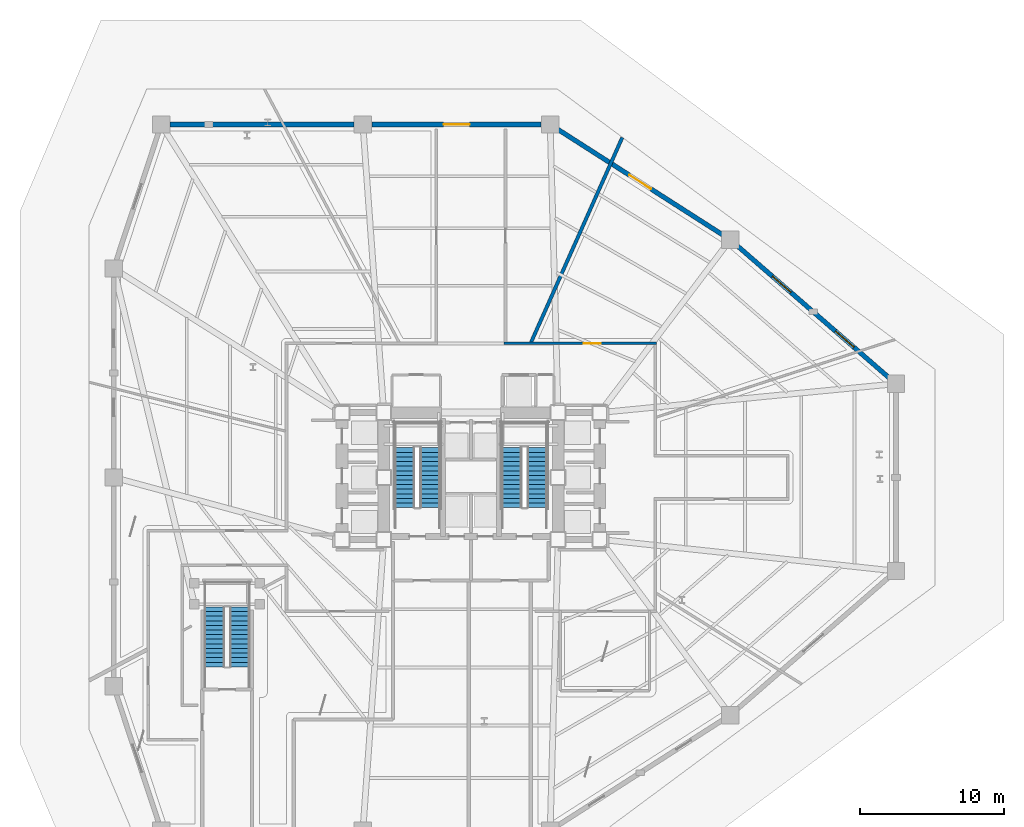
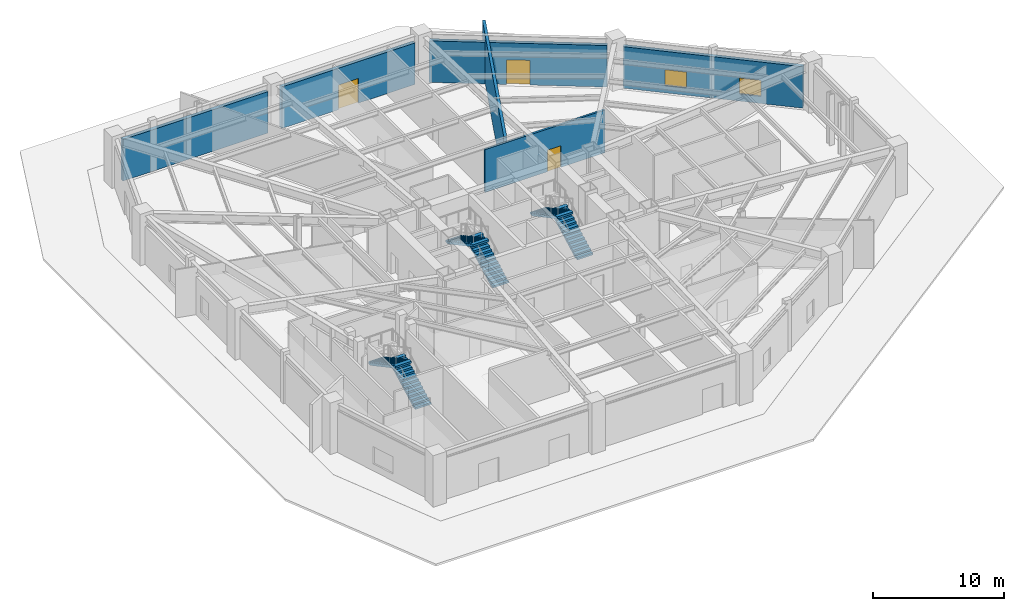
# One storey, part 6 of 10: 6 stair flights, 6 walls, 3 doors, 2 windows, 5 openings, 3 elements without a shape of their own.
"""IFC4 building model written with IfcOpenShell, lengths in metres."""

from ifc_helpers import new_model, si_unit, direction, frame, frame_2d, origin, place, context, subcontext, project, spatial, polyline, rectangle, outline, extrude, material, layer, layer_set, type_object, element, fill, aggregate, save


model = new_model("IFC4")

# Units and contexts
model_context = context("Model", 3, precision=1e-05, world=origin(), true_north=direction((0.0, 1.0)))
body_context = subcontext(model_context, "Body", "Model", "MODEL_VIEW")
ifc_project = project(units=[si_unit("LENGTHUNIT", "METRE"), si_unit("AREAUNIT", "SQUARE_METRE"), si_unit("VOLUMEUNIT", "CUBIC_METRE"), si_unit("PLANEANGLEUNIT", "RADIAN"), si_unit("MASSUNIT", "GRAM", prefix="KILO")], contexts=[model_context])

# Site, building, storey
site_placement = place(None, origin())
site = spatial("IfcSite", under=ifc_project, at=site_placement, CompositionType="ELEMENT")
building_placement = place(site_placement, origin())
building = spatial("IfcBuilding", under=site, at=building_placement, Name="Rocaltana Carrier Exchange", CompositionType="ELEMENT")
storey_placement = place(building_placement, origin())
storey = spatial("IfcBuildingStorey", under=building, at=storey_placement, Name="L01", CompositionType="ELEMENT", Elevation=0.0)

# Wall, opening, door
ifc_material_1 = material(Name="Gypsum & Steel Stud Partition", Category="steel")
ifc_layer_1 = layer(ifc_material_1, 0.179931640625)
ifc_layer_set_1 = layer_set([ifc_layer_1], Name="Gypsum & Steel Stud Partition")
wall_type_1 = type_object("IfcWallType", Name="Corridor Fire Partition 180 EI60", PredefinedType="PARTITIONING", material=ifc_layer_set_1)
wall_1_placement = place(storey_placement, frame((2.31005859375, 9.300048828125, 0.0), z_axis=(0.0, 0.0, 1.0), x_axis=(1.0, 0.0, 0.0)))
wall_1 = element("IfcWall", 1, at=wall_1_placement, inside=storey, type_object=wall_type_1, Name="L01 Corridor Partition 6", PredefinedType="PARTITIONING", context=body_context, shape_type="SweptSolid", body=[
    extrude(rectangle(XDim=10.579833984375, YDim=0.179931640625, at=frame_2d((5.2900390625, 0.0))), origin(), (0.0, 0.0, 1.0), 3.987060546875),
])
opening_1_placement = place(wall_1_placement, frame((5.5068359375, 0.0, 0.0)))
opening_1 = element("IfcOpeningElement", 2, at=opening_1_placement, cuts=wall_1, Name="Opening D-SU120", PredefinedType="OPENING", context=body_context, shape_type="SweptSolid", body=[
    extrude(rectangle(XDim=1.179931640625, YDim=2.02001953125, at=frame_2d((0.58984375, 1.010009765625))), frame((0.0, 0.099853515625, 0.0), z_axis=(0.0, -1.0, 0.0), x_axis=(1.0, 0.0, 0.0)), (0.0, 0.0, 1.0), 0.199951171875),
])
ifc_material_2 = material(Name="Engineered Hardwood Timber", Category="wood")
door_type_1 = type_object("IfcDoorType", Name="Suite Double Entrance Door 1180x2020", OperationType="NOTDEFINED", PredefinedType="DOOR", material=ifc_material_2)
door_1_placement = place(opening_1_placement, origin())
door_1 = element("IfcDoor", 3, at=door_1_placement, inside=storey, type_object=door_type_1, Name="L01 Carrier Exchange Exhibition Hall Entrance Door", OperationType="SINGLE_SWING_RIGHT", OverallHeight=2.02001953125, OverallWidth=1.179931640625, PredefinedType="DOOR", context=body_context, shape_type="SweptSolid", body=[
    extrude(rectangle(XDim=1.179931640625, YDim=2.02001953125, at=frame_2d((0.58984375, 1.010009765625))), frame((0.0, 0.02490234375, 0.0), z_axis=(0.0, -1.0, 0.0), x_axis=(1.0, 0.0, 0.0)), (0.0, 0.0, 1.0), 0.050048828125),
])
fill(opening_1, door_1)

# Wall
ifc_material_3 = material(Name="Acoustic Calcium Silicate Partition", Category="gypsum")
ifc_layer_2 = layer(ifc_material_3, 0.239990234375)
ifc_layer_set_2 = layer_set([ifc_layer_2], Name="Acoustic Calcium Silicate Partition")
wall_type_2 = type_object("IfcWallType", Name="Heavy Lab Partition 240 EI90", PredefinedType="PARTITIONING", material=ifc_layer_set_2)
wall_2_placement = place(storey_placement, frame((4.17626953125, 9.3798828125, 0.0), z_axis=(0.0, 0.0, 1.0), x_axis=(0.406726574704, 0.913549940304, 0.0)))
element("IfcWall", 4, at=wall_2_placement, inside=storey, type_object=wall_type_2, Name="L01 Suite Divider Wall D6", PredefinedType="PARTITIONING", context=body_context, shape_type="SweptSolid", body=[
    extrude(rectangle(XDim=15.55859375, YDim=0.239990234375, at=frame_2d((7.779296875, 0.0))), origin(), (0.0, 0.0, 1.0), 4.472900390625),
])

# Wall, openings, windows
ifc_material_4 = material(Name="Precast sandstone concrete C45/55", Category="masonry")
ifc_layer_3 = layer(ifc_material_4, 0.320068359375)
ifc_layer_set_3 = layer_set([ifc_layer_3], Name="Precast sandstone concrete C45/55")
wall_type_3 = type_object("IfcWallType", Name="Precast Sandstone Facade Wall 320", PredefinedType="SOLIDWALL", material=ifc_layer_set_3)
wall_3_placement = place(storey_placement, frame((18.468017578125, 16.09326171875, 0.0), z_axis=(0.0, 0.0, 1.0), x_axis=(0.754589002666, -0.656197711863, 0.0)))
wall_3 = element("IfcWall", 5, at=wall_3_placement, inside=storey, type_object=wall_type_3, Name="L01 Sandstone Facade Wall B06", PredefinedType="SOLIDWALL", context=body_context, shape_type="SweptSolid", body=[
    extrude(rectangle(XDim=13.99951171875, YDim=0.320068359375, at=frame_2d((6.999755859375, 0.0))), origin(), (0.0, 0.0, 1.0), 3.867919921875),
])
opening_2_placement = place(wall_3_placement, frame((3.25, 0.0, 0.64990234375)))
opening_2 = element("IfcOpeningElement", 6, at=opening_2_placement, cuts=wall_3, Name="Opening W-02", PredefinedType="OPENING", context=body_context, shape_type="SweptSolid", body=[
    extrude(rectangle(XDim=1.699951171875, YDim=1.5, at=frame_2d((0.85009765625, 0.75))), frame((0.0, 0.169921875, 0.0), z_axis=(0.0, -1.0, 0.0), x_axis=(1.0, 0.0, 0.0)), (0.0, 0.0, 1.0), 0.340087890625),
])
opening_3_placement = place(wall_3_placement, frame((9.0498046875, 0.0, 0.64990234375)))
opening_3 = element("IfcOpeningElement", 7, at=opening_3_placement, cuts=wall_3, Name="Opening W-02", PredefinedType="OPENING", context=body_context, shape_type="SweptSolid", body=[
    extrude(rectangle(XDim=1.699951171875, YDim=1.5, at=frame_2d((0.85009765625, 0.75))), frame((0.0, 0.169921875, 0.0), z_axis=(0.0, -1.0, 0.0), x_axis=(1.0, 0.0, 0.0)), (0.0, 0.0, 1.0), 0.340087890625),
])
ifc_material_5 = material(Name="Aluminium 6063-T6 & Double Glazing", Category="aluminium")
window_type = type_object("IfcWindowType", Name="Podium Technical Window 1700x1500", PartitioningType="SINGLE_PANEL", PredefinedType="WINDOW", material=ifc_material_5)
window_1_placement = place(opening_2_placement, origin())
window_1 = element("IfcWindow", 8, at=window_1_placement, inside=storey, type_object=window_type, Name="L01 Punched Window B06-1", OverallHeight=1.5, OverallWidth=1.699951171875, PartitioningType="SINGLE_PANEL", PredefinedType="WINDOW", context=body_context, shape_type="SweptSolid", body=[
    extrude(rectangle(XDim=1.699951171875, YDim=1.5, at=frame_2d((0.85009765625, 0.75))), frame((0.0, 0.030029296875, 0.0), z_axis=(0.0, -1.0, 0.0), x_axis=(1.0, 0.0, 0.0)), (0.0, 0.0, 1.0), 0.06005859375),
])
fill(opening_2, window_1)
window_2_placement = place(opening_3_placement, origin())
window_2 = element("IfcWindow", 9, at=window_2_placement, inside=storey, type_object=window_type, Name="L01 Punched Window B06-3", OverallHeight=1.5, OverallWidth=1.699951171875, PartitioningType="SINGLE_PANEL", PredefinedType="WINDOW", context=body_context, shape_type="SweptSolid", body=[
    extrude(rectangle(XDim=1.699951171875, YDim=1.5, at=frame_2d((0.85009765625, 0.75))), frame((0.0, 0.030029296875, 0.0), z_axis=(0.0, -1.0, 0.0), x_axis=(1.0, 0.0, 0.0)), (0.0, 0.0, 1.0), 0.06005859375),
])
fill(opening_3, window_2)

# Wall, opening, door
wall_4_placement = place(storey_placement, frame((6.022216796875, 24.165771484375, 0.0), z_axis=(0.0, 0.0, 1.0), x_axis=(0.842272052664, -0.539052677667, 0.0)))
wall_4 = element("IfcWall", 10, at=wall_4_placement, inside=storey, type_object=wall_type_3, Name="L01 Sandstone Facade Wall B07", PredefinedType="SOLIDWALL", context=body_context, shape_type="SweptSolid", body=[
    extrude(rectangle(XDim=13.600830078125, YDim=0.320068359375, at=frame_2d((6.80029296875, 0.0))), origin(), (0.0, 0.0, 1.0), 3.867919921875),
])
opening_4_placement = place(wall_4_placement, frame((5.900390625, 0.0, 0.0)))
opening_4 = element("IfcOpeningElement", 11, at=opening_4_placement, cuts=wall_4, Name="Opening E-04", PredefinedType="OPENING", context=body_context, shape_type="SweptSolid", body=[
    extrude(rectangle(XDim=1.800048828125, YDim=2.300048828125, at=frame_2d((0.89990234375, 1.14990234375))), frame((0.0, 0.169921875, 0.0), z_axis=(0.0, -1.0, 0.0), x_axis=(1.0, 0.0, 0.0)), (0.0, 0.0, 1.0), 0.340087890625),
])
ifc_material_6 = material(Name="Anodised Aluminium 6063-T6", Category="aluminium")
door_type_2 = type_object("IfcDoorType", Name="Concourse Final Exit Double Door 1800x2300", OperationType="NOTDEFINED", PredefinedType="DOOR", material=ifc_material_6)
door_2_placement = place(opening_4_placement, origin())
door_2 = element("IfcDoor", 12, at=door_2_placement, inside=storey, type_object=door_type_2, Name="Street Concourse Final Exit Door E-04", OperationType="SINGLE_SWING_RIGHT", OverallHeight=2.300048828125, OverallWidth=1.800048828125, PredefinedType="DOOR", context=body_context, shape_type="SweptSolid", body=[
    extrude(rectangle(XDim=1.800048828125, YDim=2.300048828125, at=frame_2d((0.89990234375, 1.14990234375))), frame((0.0, 0.02490234375, 0.0), z_axis=(0.0, -1.0, 0.0), x_axis=(1.0, 0.0, 0.0)), (0.0, 0.0, 1.0), 0.050048828125),
])
fill(opening_4, door_2)

wall_5_placement = place(storey_placement, frame((-6.8798828125, 24.5, 0.0), z_axis=(0.0, 0.0, 1.0), x_axis=(1.0, 0.0, 0.0)))
wall_5 = element("IfcWall", 13, at=wall_5_placement, inside=storey, type_object=wall_type_3, Name="L01 Sandstone Facade Wall B08", PredefinedType="SOLIDWALL", context=body_context, shape_type="SweptSolid", body=[
    extrude(rectangle(XDim=11.759765625, YDim=0.320068359375, at=frame_2d((5.8798828125, 0.0))), origin(), (0.0, 0.0, 1.0), 3.867919921875),
])
opening_5_placement = place(wall_5_placement, frame((4.97998046875, 0.0, 0.0)))
opening_5 = element("IfcOpeningElement", 14, at=opening_5_placement, cuts=wall_5, Name="Opening E-05", PredefinedType="OPENING", context=body_context, shape_type="SweptSolid", body=[
    extrude(rectangle(XDim=1.800048828125, YDim=2.300048828125, at=frame_2d((0.89990234375, 1.14990234375))), frame((0.0, 0.169921875, 0.0), z_axis=(0.0, -1.0, 0.0), x_axis=(1.0, 0.0, 0.0)), (0.0, 0.0, 1.0), 0.340087890625),
])
door_3_placement = place(opening_5_placement, origin())
door_3 = element("IfcDoor", 15, at=door_3_placement, inside=storey, type_object=door_type_2, Name="Street Concourse Final Exit Door E-05", OperationType="SINGLE_SWING_LEFT", OverallHeight=2.300048828125, OverallWidth=1.800048828125, PredefinedType="DOOR", context=body_context, shape_type="SweptSolid", body=[
    extrude(rectangle(XDim=1.800048828125, YDim=2.300048828125, at=frame_2d((0.89990234375, 1.14990234375))), frame((0.0, 0.02490234375, 0.0), z_axis=(0.0, -1.0, 0.0), x_axis=(1.0, 0.0, 0.0)), (0.0, 0.0, 1.0), 0.050048828125),
])
fill(opening_5, door_3)

# Wall
wall_6_placement = place(storey_placement, frame((-20.8798828125, 24.5, 0.0), z_axis=(0.0, 0.0, 1.0), x_axis=(1.0, 0.0, 0.0)))
element("IfcWall", 16, at=wall_6_placement, inside=storey, type_object=wall_type_3, Name="L01 Sandstone Facade Wall B09", PredefinedType="SOLIDWALL", context=body_context, shape_type="SweptSolid", body=[
    extrude(rectangle(XDim=12.759765625, YDim=0.320068359375, at=frame_2d((6.3798828125, 0.0))), origin(), (0.0, 0.0, 1.0), 3.867919921875),
])

# Stair, stair flights
ifc_material_7 = material(Name="Precast concrete C45/55", Category="concrete")
stair_type = type_object("IfcStairType", Name="Standard Dog-Leg Stair 160", PredefinedType="HALF_TURN_STAIR", material=ifc_material_7)
stair_1_placement = place(storey_placement, origin())
stair_1 = element("IfcStair", 17, at=stair_1_placement, inside=storey, type_object=stair_type, Name="L01 Core West Exit Stair ST-1", PredefinedType="HALF_TURN_STAIR")
ifc_material_8 = material(Name="Precast concrete C45/55", Category="concrete")
stair_flight_type = type_object("IfcStairFlightType", Name="Precast Stair Flight 160", PredefinedType="STRAIGHT", material=ifc_material_8)
stair_flight_1_placement = place(storey_placement, frame((-2.840087890625, -2.10009765625, 0.0), z_axis=(0.0, 0.0, 1.0), x_axis=(0.0, 1.0, 0.0)))
stair_flight_1 = element("IfcStairFlight", 18, at=stair_flight_1_placement, type_object=stair_flight_type, Name="ST-1 flight 1", NumberOfRisers=14, NumberOfTreads=13, PredefinedType="STRAIGHT", RiserHeight=0.171428571, TreadLength=0.32, context=body_context, shape_type="SweptSolid", body=[
    extrude(outline(polyline([(0.0, 0.0), (0.0, 0.17138671875), (0.320068359375, 0.17138671875), (0.320068359375, 0.3427734375), (0.639892578125, 0.3427734375), (0.639892578125, 0.514404296875), (0.9599609375, 0.514404296875), (0.9599609375, 0.685791015625), (1.280029296875, 0.685791015625), (1.280029296875, 0.857177734375), (1.60009765625, 0.857177734375), (1.60009765625, 1.028564453125), (1.919921875, 1.028564453125), (1.919921875, 1.199951171875), (2.239990234375, 1.199951171875), (2.239990234375, 1.371337890625), (2.56005859375, 1.371337890625), (2.56005859375, 1.54296875), (2.8798828125, 1.54296875), (2.8798828125, 1.71435546875), (3.199951171875, 1.71435546875), (3.199951171875, 1.8857421875), (3.52001953125, 1.8857421875), (3.52001953125, 2.05712890625), (3.840087890625, 2.05712890625), (3.840087890625, 2.228515625), (4.159912109375, 2.228515625), (4.159912109375, 2.39990234375), (4.159912109375, 2.047119140625), (0.338623046875, 0.0), (0.0, 0.0)])), frame((0.0, 0.699951171875, 0.0), z_axis=(0.0, -1.0, 0.0), x_axis=(1.0, 0.0, 0.0)), (0.0, 0.0, 1.0), 1.39990234375),
])
stair_flight_2_placement = place(storey_placement, frame((-4.60009765625, 2.06005859375, 2.39990234375), z_axis=(0.0, 0.0, 1.0), x_axis=(0.0, -1.0, 0.0)))
stair_flight_2 = element("IfcStairFlight", 19, at=stair_flight_2_placement, type_object=stair_flight_type, Name="ST-1 flight 2", NumberOfRisers=14, NumberOfTreads=13, PredefinedType="STRAIGHT", RiserHeight=0.171428571, TreadLength=0.32, context=body_context, shape_type="SweptSolid", body=[
    extrude(outline(polyline([(0.0, 0.0), (0.0, 0.17138671875), (0.320068359375, 0.17138671875), (0.320068359375, 0.3427734375), (0.639892578125, 0.3427734375), (0.639892578125, 0.514404296875), (0.9599609375, 0.514404296875), (0.9599609375, 0.685791015625), (1.280029296875, 0.685791015625), (1.280029296875, 0.857177734375), (1.60009765625, 0.857177734375), (1.60009765625, 1.028564453125), (1.919921875, 1.028564453125), (1.919921875, 1.199951171875), (2.239990234375, 1.199951171875), (2.239990234375, 1.371337890625), (2.56005859375, 1.371337890625), (2.56005859375, 1.54296875), (2.8798828125, 1.54296875), (2.8798828125, 1.71435546875), (3.199951171875, 1.71435546875), (3.199951171875, 1.8857421875), (3.52001953125, 1.8857421875), (3.52001953125, 2.05712890625), (3.840087890625, 2.05712890625), (3.840087890625, 2.228515625), (4.159912109375, 2.228515625), (4.159912109375, 2.39990234375), (4.159912109375, 2.047119140625), (0.338623046875, 0.0), (0.0, 0.0)])), frame((0.0, 0.699951171875, 0.0), z_axis=(0.0, -1.0, 0.0), x_axis=(1.0, 0.0, 0.0)), (0.0, 0.0, 1.0), 1.39990234375),
])
aggregate(stair_1, [stair_flight_1, stair_flight_2])

stair_2_placement = place(storey_placement, origin())
stair_2 = element("IfcStair", 20, at=stair_2_placement, inside=storey, type_object=stair_type, Name="L01 Core East Exit Stair ST-2", PredefinedType="HALF_TURN_STAIR")
stair_flight_3_placement = place(storey_placement, frame((4.60009765625, -2.10009765625, 0.0), z_axis=(0.0, 0.0, 1.0), x_axis=(0.0, 1.0, 0.0)))
stair_flight_3 = element("IfcStairFlight", 21, at=stair_flight_3_placement, type_object=stair_flight_type, Name="ST-2 flight 1", NumberOfRisers=14, NumberOfTreads=13, PredefinedType="STRAIGHT", RiserHeight=0.171428571, TreadLength=0.32, context=body_context, shape_type="SweptSolid", body=[
    extrude(outline(polyline([(0.0, 0.0), (0.0, 0.17138671875), (0.320068359375, 0.17138671875), (0.320068359375, 0.3427734375), (0.639892578125, 0.3427734375), (0.639892578125, 0.514404296875), (0.9599609375, 0.514404296875), (0.9599609375, 0.685791015625), (1.280029296875, 0.685791015625), (1.280029296875, 0.857177734375), (1.60009765625, 0.857177734375), (1.60009765625, 1.028564453125), (1.919921875, 1.028564453125), (1.919921875, 1.199951171875), (2.239990234375, 1.199951171875), (2.239990234375, 1.371337890625), (2.56005859375, 1.371337890625), (2.56005859375, 1.54296875), (2.8798828125, 1.54296875), (2.8798828125, 1.71435546875), (3.199951171875, 1.71435546875), (3.199951171875, 1.8857421875), (3.52001953125, 1.8857421875), (3.52001953125, 2.05712890625), (3.840087890625, 2.05712890625), (3.840087890625, 2.228515625), (4.159912109375, 2.228515625), (4.159912109375, 2.39990234375), (4.159912109375, 2.047119140625), (0.338623046875, 0.0), (0.0, 0.0)])), frame((0.0, 0.699951171875, 0.0), z_axis=(0.0, -1.0, 0.0), x_axis=(1.0, 0.0, 0.0)), (0.0, 0.0, 1.0), 1.39990234375),
])
stair_flight_4_placement = place(storey_placement, frame((2.840087890625, 2.06005859375, 2.39990234375), z_axis=(0.0, 0.0, 1.0), x_axis=(0.0, -1.0, 0.0)))
stair_flight_4 = element("IfcStairFlight", 22, at=stair_flight_4_placement, type_object=stair_flight_type, Name="ST-2 flight 2", NumberOfRisers=14, NumberOfTreads=13, PredefinedType="STRAIGHT", RiserHeight=0.171428571, TreadLength=0.32, context=body_context, shape_type="SweptSolid", body=[
    extrude(outline(polyline([(0.0, 0.0), (0.0, 0.17138671875), (0.320068359375, 0.17138671875), (0.320068359375, 0.3427734375), (0.639892578125, 0.3427734375), (0.639892578125, 0.514404296875), (0.9599609375, 0.514404296875), (0.9599609375, 0.685791015625), (1.280029296875, 0.685791015625), (1.280029296875, 0.857177734375), (1.60009765625, 0.857177734375), (1.60009765625, 1.028564453125), (1.919921875, 1.028564453125), (1.919921875, 1.199951171875), (2.239990234375, 1.199951171875), (2.239990234375, 1.371337890625), (2.56005859375, 1.371337890625), (2.56005859375, 1.54296875), (2.8798828125, 1.54296875), (2.8798828125, 1.71435546875), (3.199951171875, 1.71435546875), (3.199951171875, 1.8857421875), (3.52001953125, 1.8857421875), (3.52001953125, 2.05712890625), (3.840087890625, 2.05712890625), (3.840087890625, 2.228515625), (4.159912109375, 2.228515625), (4.159912109375, 2.39990234375), (4.159912109375, 2.047119140625), (0.338623046875, 0.0), (0.0, 0.0)])), frame((0.0, 0.699951171875, 0.0), z_axis=(0.0, -1.0, 0.0), x_axis=(1.0, 0.0, 0.0)), (0.0, 0.0, 1.0), 1.39990234375),
])
aggregate(stair_2, [stair_flight_3, stair_flight_4])

stair_3_placement = place(storey_placement, origin())
stair_3 = element("IfcStair", 23, at=stair_3_placement, inside=storey, type_object=stair_type, Name="L01 Podium Concourse Exit Stair ST-3", PredefinedType="HALF_TURN_STAIR")
stair_flight_5_placement = place(storey_placement, frame((-16.0400390625, -13.14990234375, 0.0), z_axis=(0.0, 0.0, 1.0), x_axis=(0.0, 1.0, 0.0)))
stair_flight_5 = element("IfcStairFlight", 24, at=stair_flight_5_placement, type_object=stair_flight_type, Name="ST-3 flight 1", NumberOfRisers=14, NumberOfTreads=13, PredefinedType="STRAIGHT", RiserHeight=0.171428571, TreadLength=0.32, context=body_context, shape_type="SweptSolid", body=[
    extrude(outline(polyline([(0.0, 0.0), (0.0, 0.17138671875), (0.320068359375, 0.17138671875), (0.320068359375, 0.3427734375), (0.639892578125, 0.3427734375), (0.639892578125, 0.514404296875), (0.9599609375, 0.514404296875), (0.9599609375, 0.685791015625), (1.280029296875, 0.685791015625), (1.280029296875, 0.857177734375), (1.60009765625, 0.857177734375), (1.60009765625, 1.028564453125), (1.919921875, 1.028564453125), (1.919921875, 1.199951171875), (2.239990234375, 1.199951171875), (2.239990234375, 1.371337890625), (2.56005859375, 1.371337890625), (2.56005859375, 1.54296875), (2.8798828125, 1.54296875), (2.8798828125, 1.71435546875), (3.199951171875, 1.71435546875), (3.199951171875, 1.8857421875), (3.52001953125, 1.8857421875), (3.52001953125, 2.05712890625), (3.840087890625, 2.05712890625), (3.840087890625, 2.228515625), (4.159912109375, 2.228515625), (4.159912109375, 2.39990234375), (4.159912109375, 2.047119140625), (0.338623046875, 0.0), (0.0, 0.0)])), frame((0.0, 0.699951171875, 0.0), z_axis=(0.0, -1.0, 0.0), x_axis=(1.0, 0.0, 0.0)), (0.0, 0.0, 1.0), 1.39990234375),
])
stair_flight_6_placement = place(storey_placement, frame((-17.800048828125, -8.989990234375, 2.39990234375), z_axis=(0.0, 0.0, 1.0), x_axis=(0.0, -1.0, 0.0)))
stair_flight_6 = element("IfcStairFlight", 25, at=stair_flight_6_placement, type_object=stair_flight_type, Name="ST-3 flight 2", NumberOfRisers=14, NumberOfTreads=13, PredefinedType="STRAIGHT", RiserHeight=0.171428571, TreadLength=0.32, context=body_context, shape_type="SweptSolid", body=[
    extrude(outline(polyline([(0.0, 0.0), (0.0, 0.17138671875), (0.320068359375, 0.17138671875), (0.320068359375, 0.3427734375), (0.639892578125, 0.3427734375), (0.639892578125, 0.514404296875), (0.9599609375, 0.514404296875), (0.9599609375, 0.685791015625), (1.280029296875, 0.685791015625), (1.280029296875, 0.857177734375), (1.60009765625, 0.857177734375), (1.60009765625, 1.028564453125), (1.919921875, 1.028564453125), (1.919921875, 1.199951171875), (2.239990234375, 1.199951171875), (2.239990234375, 1.371337890625), (2.56005859375, 1.371337890625), (2.56005859375, 1.54296875), (2.8798828125, 1.54296875), (2.8798828125, 1.71435546875), (3.199951171875, 1.71435546875), (3.199951171875, 1.8857421875), (3.52001953125, 1.8857421875), (3.52001953125, 2.05712890625), (3.840087890625, 2.05712890625), (3.840087890625, 2.228515625), (4.159912109375, 2.228515625), (4.159912109375, 2.39990234375), (4.159912109375, 2.047119140625), (0.338623046875, 0.0), (0.0, 0.0)])), frame((0.0, 0.699951171875, 0.0), z_axis=(0.0, -1.0, 0.0), x_axis=(1.0, 0.0, 0.0)), (0.0, 0.0, 1.0), 1.39990234375),
])
aggregate(stair_3, [stair_flight_5, stair_flight_6])

save(model, "model.ifc")
